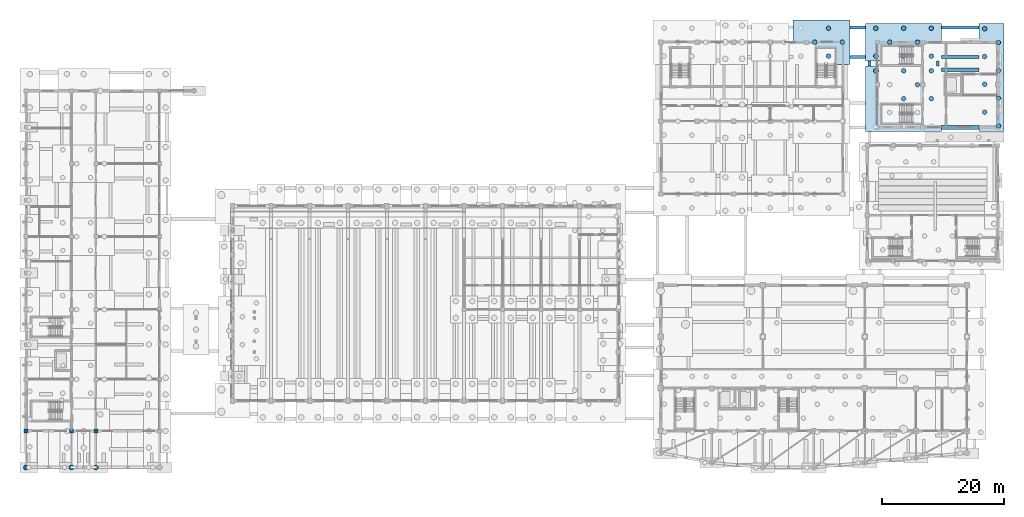
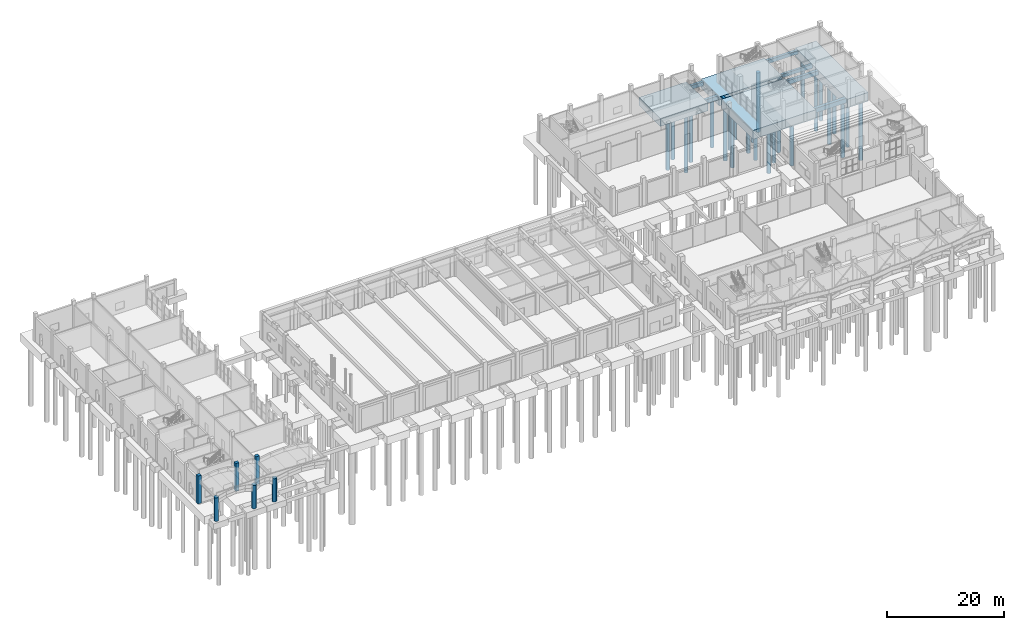
# One storey, part 8 of 60: 26 piles, 12 footings, 6 columns.
"""IFC4 building model written with IfcOpenShell, lengths in metres."""

from ifc_helpers import new_model, si_unit, direction, frame, origin, origin_2d, place, context, subcontext, project, spatial, rectangle, circle, extrude, material, material_profile, profile_set, type_object, element, save


model = new_model("IFC4")

# Units and contexts
model_context = context("Model", 3, precision=1e-05, world=origin(), true_north=direction((0.0, 1.0)))
body_context = subcontext(model_context, "Body", "Model", "MODEL_VIEW")
ifc_project = project(units=[si_unit("LENGTHUNIT", "METRE"), si_unit("AREAUNIT", "SQUARE_METRE"), si_unit("VOLUMEUNIT", "CUBIC_METRE"), si_unit("PLANEANGLEUNIT", "RADIAN"), si_unit("MASSUNIT", "GRAM", prefix="KILO")], contexts=[model_context])

# Site, building, storey
site_placement = place(None, origin())
site = spatial("IfcSite", under=ifc_project, at=site_placement, CompositionType="ELEMENT")
building_placement = place(site_placement, origin())
building = spatial("IfcBuilding", under=site, at=building_placement, Name="Trellovar Central Fire Station", CompositionType="ELEMENT")
storey_placement = place(building_placement, origin())
storey = spatial("IfcBuildingStorey", under=building, at=storey_placement, Name="L01", CompositionType="ELEMENT", Elevation=0.0)

# Footings
ifc_material_1 = material(Name="Concrete C35/45", Category="concrete")
footing_type_1 = type_object("IfcFootingType", Name="CAP-PC36", PredefinedType="PILE_CAP", material=ifc_material_1)
footing_1_placement = place(storey_placement, frame((131.9599609375, 73.0, -2.050048828125), z_axis=(0.0, 0.0, 1.0), x_axis=(1.0, 0.0, 0.0)))
element("IfcFooting", 1, at=footing_1_placement, inside=storey, type_object=footing_type_1, Name="Pile cap PC-36 at (132.0, 73.0)", PredefinedType="PILE_CAP", context=body_context, shape_type="SweptSolid", body=[
    extrude(rectangle(XDim=9.39990234375, YDim=7.300048828125, at=origin_2d()), origin(), (0.0, 0.0, 1.0), 1.64990234375),
])
ifc_material_2 = material(Name="Concrete C35/45", Category="concrete")
footing_type_2 = type_object("IfcFootingType", Name="CAP-PC40", PredefinedType="PILE_CAP", material=ifc_material_2)
footing_2_placement = place(storey_placement, frame((145.4619140625, 63.712890625, -2.25), z_axis=(0.0, 0.0, 1.0), x_axis=(1.0, 0.0, 0.0)))
element("IfcFooting", 2, at=footing_2_placement, inside=storey, type_object=footing_type_2, Name="Pile cap PC-40 at (145.5, 63.7)", PredefinedType="PILE_CAP", context=body_context, shape_type="SweptSolid", body=[
    extrude(rectangle(XDim=12.5, YDim=10.800048828125, at=origin_2d()), origin(), (0.0, 0.0, 1.0), 1.85009765625),
])
ifc_material_3 = material(Name="Concrete C35/45", Category="concrete")
footing_type_3 = type_object("IfcFootingType", Name="CAP-PC41", PredefinedType="PILE_CAP", material=ifc_material_3)
footing_3_placement = place(storey_placement, frame((145.4619140625, 73.0, -2.25), z_axis=(0.0, 0.0, 1.0), x_axis=(1.0, 0.0, 0.0)))
element("IfcFooting", 3, at=footing_3_placement, inside=storey, type_object=footing_type_3, Name="Pile cap PC-41 at (145.5, 73.0)", PredefinedType="PILE_CAP", context=body_context, shape_type="SweptSolid", body=[
    extrude(rectangle(XDim=12.5, YDim=6.199951171875, at=origin_2d()), origin(), (0.0, 0.0, 1.0), 1.85009765625),
])
ifc_material_4 = material(Name="Concrete C35/45", Category="concrete")
footing_type_4 = type_object("IfcFootingType", Name="CAP-PC46", PredefinedType="PILE_CAP", material=ifc_material_4)
footing_4_placement = place(storey_placement, frame((159.93798828125, 67.2099609375, -2.25), z_axis=(0.0, 0.0, 1.0), x_axis=(1.0, 0.0, 0.0)))
element("IfcFooting", 4, at=footing_4_placement, inside=storey, type_object=footing_type_4, Name="Pile cap PC-46 at (159.9, 67.2)", PredefinedType="PILE_CAP", context=body_context, shape_type="SweptSolid", body=[
    extrude(rectangle(XDim=4.10009765625, YDim=17.800048828125, at=origin_2d()), origin(), (0.0, 0.0, 1.0), 1.85009765625),
])
ifc_material_5 = material(Name="Concrete C35/45", Category="concrete")
ifc_material_profile_1 = material_profile(ifc_material_5, rectangle(XDim=0.5, YDim=0.800048828125, at=origin_2d()), Name="RC500X800")
ifc_profile_set_1 = profile_set([ifc_material_profile_1], Name="Concrete C35/45")
footing_type_5 = type_object("IfcFootingType", Name="FB-GB1", PredefinedType="FOOTING_BEAM", material=ifc_profile_set_1)
footing_5_placement = place(storey_placement, frame((136.659912109375, 75.449951171875, -0.800048828125), z_axis=(1.0, 0.0, 0.0), x_axis=(0.0, 1.0, 0.0)))
element("IfcFooting", 5, at=footing_5_placement, inside=storey, type_object=footing_type_5, Name="Footing tie beam GB-222", PredefinedType="FOOTING_BEAM", context=body_context, shape_type="SweptSolid", body=[
    extrude(rectangle(XDim=0.5, YDim=0.800048828125, at=origin_2d()), origin(), (0.0, 0.0, 1.0), 2.552001953125),
])
footing_6_placement = place(storey_placement, frame((139.862060546875, 69.113037109375, -0.800048828125), z_axis=(0.0, 1.0, 0.0), x_axis=(-1.0, 0.0, 0.0)))
element("IfcFooting", 6, at=footing_6_placement, inside=storey, type_object=footing_type_5, Name="Footing tie beam GB-243", PredefinedType="FOOTING_BEAM", context=body_context, shape_type="SweptSolid", body=[
    extrude(rectangle(XDim=0.5, YDim=0.800048828125, at=origin_2d()), origin(), (0.0, 0.0, 1.0), 0.786865234375),
])
ifc_material_6 = material(Name="Concrete C35/45", Category="concrete")
ifc_material_profile_2 = material_profile(ifc_material_6, rectangle(XDim=0.60009765625, YDim=0.949951171875, at=origin_2d()), Name="RC600X950")
ifc_profile_set_2 = profile_set([ifc_material_profile_2], Name="Concrete C35/45")
footing_type_6 = type_object("IfcFootingType", Name="FB-GB2", PredefinedType="FOOTING_BEAM", material=ifc_profile_set_2)
footing_7_placement = place(storey_placement, frame((151.7119140625, 58.962890625, -0.875), z_axis=(1.0, 0.0, 0.0), x_axis=(0.0, 1.0, 0.0)))
element("IfcFooting", 7, at=footing_7_placement, inside=storey, type_object=footing_type_6, Name="Footing tie beam GB-241", PredefinedType="FOOTING_BEAM", context=body_context, shape_type="SweptSolid", body=[
    extrude(rectangle(XDim=0.60009765625, YDim=0.949951171875, at=origin_2d()), origin(), (0.0, 0.0, 1.0), 6.176025390625),
])
ifc_material_7 = material(Name="Concrete C35/45", Category="concrete")
ifc_material_profile_3 = material_profile(ifc_material_7, rectangle(XDim=0.449951171875, YDim=0.75, at=origin_2d()), Name="RC450X750")
ifc_profile_set_3 = profile_set([ifc_material_profile_3], Name="Concrete C35/45")
footing_type_7 = type_object("IfcFootingType", Name="FB-GB3", PredefinedType="FOOTING_BEAM", material=ifc_profile_set_3)
footing_8_placement = place(storey_placement, frame((151.7119140625, 70.550048828125, -0.77490234375), z_axis=(1.0, 0.0, 0.0), x_axis=(0.0, 1.0, 0.0)))
element("IfcFooting", 8, at=footing_8_placement, inside=storey, type_object=footing_type_7, Name="Footing tie beam GB-245", PredefinedType="FOOTING_BEAM", context=body_context, shape_type="SweptSolid", body=[
    extrude(rectangle(XDim=0.449951171875, YDim=0.75, at=origin_2d()), origin(), (0.0, 0.0, 1.0), 6.176025390625),
])
ifc_material_8 = material(Name="Concrete C35/45", Category="concrete")
ifc_material_profile_4 = material_profile(ifc_material_8, rectangle(XDim=0.550048828125, YDim=0.85009765625, at=origin_2d()), Name="RC550X850")
ifc_profile_set_4 = profile_set([ifc_material_profile_4], Name="Concrete C35/45")
footing_type_8 = type_object("IfcFootingType", Name="FB-GB5", PredefinedType="FOOTING_BEAM", material=ifc_profile_set_4)
footing_9_placement = place(storey_placement, frame((136.659912109375, 70.550048828125, -0.824951171875), z_axis=(1.0, 0.0, 0.0), x_axis=(0.0, 1.0, 0.0)))
element("IfcFooting", 9, at=footing_9_placement, inside=storey, type_object=footing_type_8, Name="Footing tie beam GB-221", PredefinedType="FOOTING_BEAM", context=body_context, shape_type="SweptSolid", body=[
    extrude(rectangle(XDim=0.550048828125, YDim=0.85009765625, at=origin_2d()), origin(), (0.0, 0.0, 1.0), 2.552001953125),
])
footing_10_placement = place(storey_placement, frame((151.7119140625, 68.462890625, -0.824951171875), z_axis=(1.0, 0.0, 0.0), x_axis=(0.0, 1.0, 0.0)))
element("IfcFooting", 10, at=footing_10_placement, inside=storey, type_object=footing_type_8, Name="Footing tie beam GB-242", PredefinedType="FOOTING_BEAM", context=body_context, shape_type="SweptSolid", body=[
    extrude(rectangle(XDim=0.550048828125, YDim=0.85009765625, at=origin_2d()), origin(), (0.0, 0.0, 1.0), 6.176025390625),
])
ifc_material_9 = material(Name="Concrete C35/45", Category="concrete")
ifc_material_profile_5 = material_profile(ifc_material_9, rectangle(XDim=0.5, YDim=0.75, at=origin_2d()), Name="RC500X750")
ifc_profile_set_5 = profile_set([ifc_material_profile_5], Name="Concrete C35/45")
footing_type_9 = type_object("IfcFootingType", Name="FB-GB6", PredefinedType="FOOTING_BEAM", material=ifc_profile_set_5)
footing_11_placement = place(storey_placement, frame((151.7119140625, 75.449951171875, -0.77490234375), z_axis=(1.0, 0.0, 0.0), x_axis=(0.0, 1.0, 0.0)))
element("IfcFooting", 11, at=footing_11_placement, inside=storey, type_object=footing_type_9, Name="Footing tie beam GB-246", PredefinedType="FOOTING_BEAM", context=body_context, shape_type="SweptSolid", body=[
    extrude(rectangle(XDim=0.5, YDim=0.75, at=origin_2d()), origin(), (0.0, 0.0, 1.0), 6.176025390625),
])
ifc_material_10 = material(Name="Concrete C35/45", Category="concrete")
ifc_material_profile_6 = material_profile(ifc_material_10, rectangle(XDim=0.39990234375, YDim=0.60009765625, at=origin_2d()), Name="RC400X600")
ifc_profile_set_6 = profile_set([ifc_material_profile_6], Name="Concrete C35/45")
footing_type_10 = type_object("IfcFootingType", Name="FB-GB8", PredefinedType="FOOTING_BEAM", material=ifc_profile_set_6)
footing_12_placement = place(storey_placement, frame((151.06201171875, 69.113037109375, -0.699951171875), z_axis=(0.0, 1.0, 0.0), x_axis=(-1.0, 0.0, 0.0)))
element("IfcFooting", 12, at=footing_12_placement, inside=storey, type_object=footing_type_10, Name="Footing tie beam GB-244", PredefinedType="FOOTING_BEAM", context=body_context, shape_type="SweptSolid", body=[
    extrude(rectangle(XDim=0.39990234375, YDim=0.60009765625, at=origin_2d()), origin(), (0.0, 0.0, 1.0), 0.786865234375),
])

# Piles
ifc_material_11 = material(Name="Concrete C35/45", Category="concrete")
ifc_material_profile_7 = material_profile(ifc_material_11, circle(Radius=0.375, at=origin_2d()), Name="PILE750")
ifc_profile_set_7 = profile_set([ifc_material_profile_7], Name="Concrete C35/45")
pile_type = type_object("IfcPileType", Name="PILE-BP1", PredefinedType="BORED", material=ifc_profile_set_7)
for number, where, z_axis, x_axis, name in (
    (13, (130.81689453125, 73.0, -1.949951171875), (0.0, 0.0, -1.0), (1.0, 0.0, 0.0), "Bored pile FNDBP3-079-03"),
    (14, (133.10302734375, 70.712890625, -1.949951171875), (0.0, 0.0, -1.0), (1.0, 0.0, 0.0), "Bored pile FNDBP3-079-04"),
    (15, (133.10302734375, 75.287109375, -1.949951171875), (0.0, 0.0, -1.0), (1.0, 0.0, 0.0), "Bored pile FNDBP3-079-05"),
    (16, (135.389892578125, 73.0, -1.949951171875), (0.0, 0.0, -1.0), (1.0, 0.0, 0.0), "Bored pile FNDBP3-079-06"),
    (17, (140.887939453125, 68.287109375, -2.14990234375), (0.0, 0.0, -1.0), (1.0, 0.0, 0.0), "Bored pile FNDBP3-087-03"),
    (18, (145.4619140625, 63.712890625, -2.14990234375), (0.0, 0.0, -1.0), (1.0, 0.0, 0.0), "Bored pile FNDBP3-087-07"),
    (19, (145.4619140625, 68.287109375, -2.14990234375), (0.0, 0.0, -1.0), (1.0, 0.0, 0.0), "Bored pile FNDBP3-087-08"),
    (20, (147.7490234375, 66.0, -2.14990234375), (0.0, 0.0, -1.0), (1.0, 0.0, 0.0), "Bored pile FNDBP3-087-10"),
    (21, (150.035888671875, 63.712890625, -2.14990234375), (0.0, 0.0, -1.0), (1.0, 0.0, 0.0), "Bored pile FNDBP3-087-12"),
    (22, (150.035888671875, 68.287109375, -2.14990234375), (0.0, 0.0, -1.0), (1.0, 0.0, 0.0), "Bored pile FNDBP3-087-13"),
    (23, (140.887939453125, 70.712890625, -2.14990234375), (0.0, 0.0, -1.0), (1.0, 0.0, 0.0), "Bored pile FNDBP3-088-01"),
    (24, (140.887939453125, 75.287109375, -2.14990234375), (0.0, 0.0, -1.0), (1.0, 0.0, 0.0), "Bored pile FNDBP3-088-02"),
    (25, (143.175048828125, 73.0, -2.14990234375), (0.0, 0.0, -1.0), (1.0, 0.0, 0.0), "Bored pile FNDBP3-088-03"),
    (26, (145.4619140625, 70.712890625, -2.14990234375), (0.0, 0.0, -1.0), (1.0, 0.0, 0.0), "Bored pile FNDBP3-088-04"),
    (27, (145.4619140625, 75.287109375, -2.14990234375), (0.0, 0.0, -1.0), (1.0, 0.0, 0.0), "Bored pile FNDBP3-088-05"),
    (28, (147.7490234375, 73.0, -2.14990234375), (0.0, 0.0, -1.0), (1.0, 0.0, 0.0), "Bored pile FNDBP3-088-06"),
    (29, (150.035888671875, 70.712890625, -2.14990234375), (0.0, 0.0, -1.0), (1.0, 0.0, 0.0), "Bored pile FNDBP3-088-07"),
    (30, (150.035888671875, 75.287109375, -2.14990234375), (0.0, 0.0, -1.0), (1.0, 0.0, 0.0), "Bored pile FNDBP3-088-08"),
    (31, (158.794921875, 61.491943359375, -2.14990234375), (0.0, 0.0, -1.0), (1.0, 0.0, 0.0), "Bored pile FNDBP3-097-01"),
    (32, (158.794921875, 66.06591796875, -2.14990234375), (0.0, 0.0, -1.0), (1.0, 0.0, 0.0), "Bored pile FNDBP3-097-02"),
    (33, (158.794921875, 70.639892578125, -2.14990234375), (0.0, 0.0, -1.0), (1.0, 0.0, 0.0), "Bored pile FNDBP3-097-03"),
    (34, (158.794921875, 75.215087890625, -2.14990234375), (0.0, 0.0, -1.0), (1.0, 0.0, 0.0), "Bored pile FNDBP3-097-04"),
    (35, (161.0810546875, 59.205078125, -2.14990234375), (0.0, 0.0, -1.0), (1.0, 0.0, 0.0), "Bored pile FNDBP3-097-05"),
    (36, (161.0810546875, 63.779052734375, -2.14990234375), (0.0, 0.0, -1.0), (1.0, 0.0, 0.0), "Bored pile FNDBP3-097-06"),
    (37, (161.0810546875, 68.35302734375, -2.14990234375), (0.0, 0.0, -1.0), (1.0, 0.0, 0.0), "Bored pile FNDBP3-097-07"),
    (38, (161.0810546875, 72.927001953125, -2.14990234375), (0.0, 0.0, -1.0), (1.0, 0.0, 0.0), "Bored pile FNDBP3-097-08"),
):
    element("IfcPile", number, at=place(storey_placement, frame(where, z_axis=z_axis, x_axis=x_axis)), inside=storey, type_object=pile_type, Name=name, PredefinedType="BORED", context=body_context, shape_type="SweptSolid", body=[
        extrude(circle(Radius=0.375, at=origin_2d()), origin(), (0.0, 0.0, 1.0), 12.5),
    ])

# Columns
ifc_material_12 = material(Name="Concrete C40/50", Category="concrete")
ifc_material_profile_8 = material_profile(ifc_material_12, circle(Radius=0.425048828125, at=origin_2d()), Name="RCD850")
ifc_profile_set_8 = profile_set([ifc_material_profile_8], Name="Concrete C40/50")
column_type_1 = type_object("IfcColumnType", Name="COL-C10", PredefinedType="COLUMN", material=ifc_profile_set_8)
for number, where, z_axis, x_axis, name in (
    (39, (1.0, 3.0, 0.0), (0.0, 0.0, 1.0), (1.0, 0.0, 0.0), "West boulevard Catalan arcade pier (1.0,3.0)"),
    (40, (8.5, 3.0, 0.0), (0.0, 0.0, 1.0), (1.0, 0.0, 0.0), "West boulevard Catalan arcade pier (8.5,3.0)"),
    (41, (12.5, 3.0, 0.0), (0.0, 0.0, 1.0), (1.0, 0.0, 0.0), "West boulevard Catalan arcade pier (12.5,3.0)"),
):
    element("IfcColumn", number, at=place(storey_placement, frame(where, z_axis=z_axis, x_axis=x_axis)), inside=storey, type_object=column_type_1, Name=name, PredefinedType="COLUMN", context=body_context, shape_type="SweptSolid", body=[
        extrude(circle(Radius=0.425048828125, at=origin_2d()), origin(), (0.0, 0.0, 1.0), 4.89990234375),
    ])
ifc_material_13 = material(Name="Concrete C40/50", Category="concrete")
ifc_material_profile_9 = material_profile(ifc_material_13, rectangle(XDim=0.64990234375, YDim=0.64990234375, at=origin_2d()), Name="RC650X650")
ifc_profile_set_9 = profile_set([ifc_material_profile_9], Name="Concrete C40/50")
column_type_2 = type_object("IfcColumnType", Name="COL-C5", PredefinedType="COLUMN", material=ifc_profile_set_9)
for number, where, z_axis, x_axis, name in (
    (42, (1.0, 9.0, 0.0), (0.0, 0.0, 1.0), (1.0, 0.0, 0.0), "L01 column C-5"),
    (43, (8.5, 9.0, 0.0), (0.0, 0.0, 1.0), (1.0, 0.0, 0.0), "L01 column C-5"),
    (44, (12.5, 9.0, 0.0), (0.0, 0.0, 1.0), (1.0, 0.0, 0.0), "L01 column C-5"),
):
    element("IfcColumn", number, at=place(storey_placement, frame(where, z_axis=z_axis, x_axis=x_axis)), inside=storey, type_object=column_type_2, Name=name, PredefinedType="COLUMN", context=body_context, shape_type="SweptSolid", body=[
        extrude(rectangle(XDim=0.64990234375, YDim=0.64990234375, at=origin_2d()), origin(), (0.0, 0.0, 1.0), 5.85009765625),
    ])

save(model, "model.ifc")
